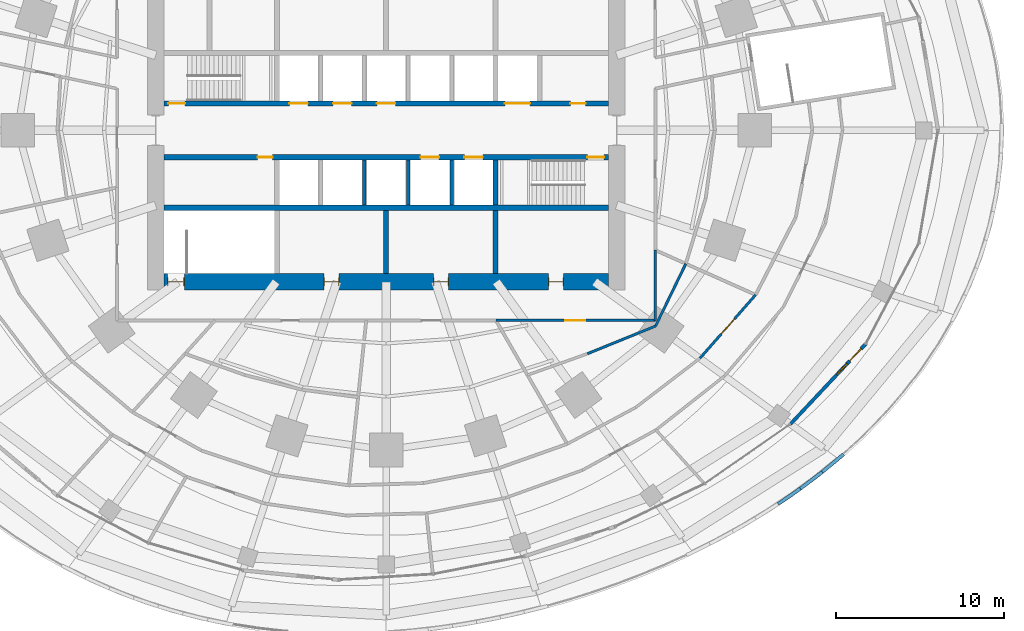
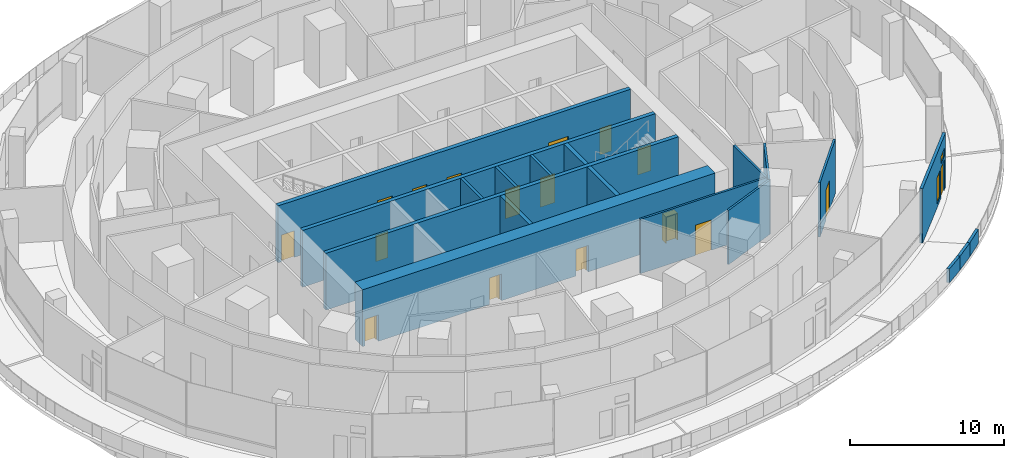
# One storey, part 18 of 26: 19 walls, 17 doors, 2 windows, 19 openings.
"""IFC4 building model written with IfcOpenShell, lengths in metres."""

from ifc_helpers import new_model, si_unit, direction, frame, frame_2d, origin, place, context, subcontext, project, spatial, rectangle, extrude, material, layer, layer_set, type_object, element, fill, save


model = new_model("IFC4")

# Units and contexts
model_context = context("Model", 3, precision=1e-05, world=origin(), true_north=direction((0.0, 1.0)))
body_context = subcontext(model_context, "Body", "Model", "MODEL_VIEW")
ifc_project = project(units=[si_unit("LENGTHUNIT", "METRE"), si_unit("AREAUNIT", "SQUARE_METRE"), si_unit("VOLUMEUNIT", "CUBIC_METRE"), si_unit("PLANEANGLEUNIT", "RADIAN"), si_unit("MASSUNIT", "GRAM", prefix="KILO")], contexts=[model_context])

# Site, building, storey
site_placement = place(None, origin())
site = spatial("IfcSite", under=ifc_project, at=site_placement, CompositionType="ELEMENT")
building_placement = place(site_placement, origin())
building = spatial("IfcBuilding", under=site, at=building_placement, Name="Marramba Exchange Tower", CompositionType="ELEMENT")
storey_placement = place(building_placement, frame((0.0, 0.0, 15.10009765625)))
storey = spatial("IfcBuildingStorey", under=building, at=storey_placement, Name="L03", CompositionType="ELEMENT", Elevation=15.10009765625)

# Walls
ifc_material_1 = material(Name="Concrete N50", Category="concrete")
ifc_layer_1 = layer(ifc_material_1, 0.199951171875)
ifc_layer_set_1 = layer_set([ifc_layer_1], Name="Core shaft wall 200")
wall_type_1 = type_object("IfcWallType", Name="Core shaft wall 200", PredefinedType="SHEAR", material=ifc_layer_set_1)
for number, where, z_axis, x_axis, name in (
    (1, (-1.300048828125, -1.75, 0.0), (0.0, 0.0, 1.0), (0.0, -1.0, 0.0), "Core wall SHS2 L03"),
    (2, (1.300048828125, -1.75, 0.0), (0.0, 0.0, 1.0), (0.0, -1.0, 0.0), "Core wall SHS3 L03"),
    (3, (3.89990234375, -1.75, 0.0), (0.0, 0.0, 1.0), (0.0, -1.0, 0.0), "Core wall SHS4 L03"),
):
    element("IfcWall", number, at=place(storey_placement, frame(where, z_axis=z_axis, x_axis=x_axis)), inside=storey, type_object=wall_type_1, Name=name, PredefinedType="SHEAR", context=body_context, shape_type="SweptSolid", body=[
        extrude(rectangle(XDim=2.699951171875, YDim=0.199951171875, at=frame_2d((1.35009765625, 0.0))), origin(), (0.0, 0.0, 1.0), 4.5),
    ])

# Wall, openings, doors
ifc_layer_2 = layer(ifc_material_1, 1.0)
ifc_layer_set_2 = layer_set([ifc_layer_2], Name="Core wall 1000")
wall_type_2 = type_object("IfcWallType", Name="Core wall 1000", PredefinedType="SHEAR", material=ifc_layer_set_2)
wall_1_placement = place(storey_placement, frame((-13.199951171875, -9.0, 0.0), z_axis=(0.0, 0.0, 1.0), x_axis=(1.0, 0.0, 0.0)))
wall_1 = element("IfcWall", 4, at=wall_1_placement, inside=storey, type_object=wall_type_2, Name="Core wall S L03", PredefinedType="SHEAR", context=body_context, shape_type="SweptSolid", body=[
    extrude(rectangle(XDim=26.39990234375, YDim=1.0, at=frame_2d((13.199951171875, 0.0))), origin(), (0.0, 0.0, 1.0), 4.5),
])
opening_1_placement = place(wall_1_placement, frame((0.199951171875, 0.0, 0.0)))
opening_1 = element("IfcOpeningElement", 5, at=opening_1_placement, cuts=wall_1, Name="Opening D2", PredefinedType="OPENING", context=body_context, shape_type="SweptSolid", body=[
    extrude(rectangle(XDim=1.0, YDim=2.10009765625, at=frame_2d((0.5, 1.050048828125))), frame((0.0, 0.510009765625, 0.0), z_axis=(0.0, -1.0, 0.0), x_axis=(1.0, 0.0, 0.0)), (0.0, 0.0, 1.0), 1.02001953125),
])
opening_2_placement = place(wall_1_placement, frame((9.5, 0.0, 0.0)))
opening_2 = element("IfcOpeningElement", 6, at=opening_2_placement, cuts=wall_1, Name="Opening D5", PredefinedType="OPENING", context=body_context, shape_type="SweptSolid", body=[
    extrude(rectangle(XDim=0.89990234375, YDim=2.10009765625, at=frame_2d((0.449951171875, 1.050048828125))), frame((0.0, 0.510009765625, 0.0), z_axis=(0.0, -1.0, 0.0), x_axis=(1.0, 0.0, 0.0)), (0.0, 0.0, 1.0), 1.02001953125),
])
opening_3_placement = place(wall_1_placement, frame((16.0, 0.0, 0.0)))
opening_3 = element("IfcOpeningElement", 7, at=opening_3_placement, cuts=wall_1, Name="Opening D5", PredefinedType="OPENING", context=body_context, shape_type="SweptSolid", body=[
    extrude(rectangle(XDim=0.89990234375, YDim=2.10009765625, at=frame_2d((0.449951171875, 1.050048828125))), frame((0.0, 0.510009765625, 0.0), z_axis=(0.0, -1.0, 0.0), x_axis=(1.0, 0.0, 0.0)), (0.0, 0.0, 1.0), 1.02001953125),
])
opening_4_placement = place(wall_1_placement, frame((22.85009765625, 0.0, 0.0)))
opening_4 = element("IfcOpeningElement", 8, at=opening_4_placement, cuts=wall_1, Name="Opening D5", PredefinedType="OPENING", context=body_context, shape_type="SweptSolid", body=[
    extrude(rectangle(XDim=0.89990234375, YDim=2.10009765625, at=frame_2d((0.449951171875, 1.050048828125))), frame((0.0, 0.510009765625, 0.0), z_axis=(0.0, -1.0, 0.0), x_axis=(1.0, 0.0, 0.0)), (0.0, 0.0, 1.0), 1.02001953125),
])
ifc_material_2 = material(Name="Steel-framed door", Category="steel")
door_type_1 = type_object("IfcDoorType", Name="Service door 900x2100", OperationType="SINGLE_SWING_LEFT", PredefinedType="DOOR", material=ifc_material_2)
door_1_placement = place(opening_2_placement, origin())
door_1 = element("IfcDoor", 9, at=door_1_placement, inside=storey, type_object=door_type_1, Name="D5 ahu L03", OperationType="SINGLE_SWING_RIGHT", OverallHeight=2.10009765625, OverallWidth=0.89990234375, PredefinedType="DOOR", context=body_context, shape_type="SweptSolid", body=[
    extrude(rectangle(XDim=0.81982421875, YDim=2.06005859375, at=frame_2d((0.449951171875, 1.030029296875))), frame((0.0, 0.02490234375, 0.0), z_axis=(0.0, -1.0, 0.0), x_axis=(1.0, 0.0, 0.0)), (0.0, 0.0, 1.0), 0.050048828125),
    extrude(rectangle(XDim=0.04, YDim=2.10009765625, at=frame_2d((0.02001953125, 1.050048828125))), frame((0.0, 0.25, 0.0), z_axis=(0.0, -1.0, 0.0), x_axis=(1.0, 0.0, 0.0)), (0.0, 0.0, 1.0), 0.5),
    extrude(rectangle(XDim=0.04, YDim=2.10009765625, at=frame_2d((0.8798828125, 1.050048828125))), frame((0.0, 0.25, 0.0), z_axis=(0.0, -1.0, 0.0), x_axis=(1.0, 0.0, 0.0)), (0.0, 0.0, 1.0), 0.5),
    extrude(rectangle(XDim=0.81982421875, YDim=0.04, at=frame_2d((0.449951171875, 2.080078125))), frame((0.0, 0.25, 0.0), z_axis=(0.0, -1.0, 0.0), x_axis=(1.0, 0.0, 0.0)), (0.0, 0.0, 1.0), 0.5),
])
fill(opening_2, door_1)
door_2_placement = place(opening_3_placement, origin())
door_2 = element("IfcDoor", 10, at=door_2_placement, inside=storey, type_object=door_type_1, Name="D5 switch L03", OperationType="SINGLE_SWING_RIGHT", OverallHeight=2.10009765625, OverallWidth=0.89990234375, PredefinedType="DOOR", context=body_context, shape_type="SweptSolid", body=[
    extrude(rectangle(XDim=0.81982421875, YDim=2.06005859375, at=frame_2d((0.449951171875, 1.030029296875))), frame((0.0, 0.02490234375, 0.0), z_axis=(0.0, -1.0, 0.0), x_axis=(1.0, 0.0, 0.0)), (0.0, 0.0, 1.0), 0.050048828125),
    extrude(rectangle(XDim=0.04, YDim=2.10009765625, at=frame_2d((0.02001953125, 1.050048828125))), frame((0.0, 0.25, 0.0), z_axis=(0.0, -1.0, 0.0), x_axis=(1.0, 0.0, 0.0)), (0.0, 0.0, 1.0), 0.5),
    extrude(rectangle(XDim=0.04, YDim=2.10009765625, at=frame_2d((0.8798828125, 1.050048828125))), frame((0.0, 0.25, 0.0), z_axis=(0.0, -1.0, 0.0), x_axis=(1.0, 0.0, 0.0)), (0.0, 0.0, 1.0), 0.5),
    extrude(rectangle(XDim=0.81982421875, YDim=0.04, at=frame_2d((0.449951171875, 2.080078125))), frame((0.0, 0.25, 0.0), z_axis=(0.0, -1.0, 0.0), x_axis=(1.0, 0.0, 0.0)), (0.0, 0.0, 1.0), 0.5),
])
fill(opening_3, door_2)
door_3_placement = place(opening_4_placement, origin())
door_3 = element("IfcDoor", 11, at=door_3_placement, inside=storey, type_object=door_type_1, Name="D5 cstore L03", OperationType="SINGLE_SWING_RIGHT", OverallHeight=2.10009765625, OverallWidth=0.89990234375, PredefinedType="DOOR", context=body_context, shape_type="SweptSolid", body=[
    extrude(rectangle(XDim=0.81982421875, YDim=2.06005859375, at=frame_2d((0.449951171875, 1.030029296875))), frame((0.0, 0.02490234375, 0.0), z_axis=(0.0, -1.0, 0.0), x_axis=(1.0, 0.0, 0.0)), (0.0, 0.0, 1.0), 0.050048828125),
    extrude(rectangle(XDim=0.04, YDim=2.10009765625, at=frame_2d((0.02001953125, 1.050048828125))), frame((0.0, 0.25, 0.0), z_axis=(0.0, -1.0, 0.0), x_axis=(1.0, 0.0, 0.0)), (0.0, 0.0, 1.0), 0.5),
    extrude(rectangle(XDim=0.04, YDim=2.10009765625, at=frame_2d((0.8798828125, 1.050048828125))), frame((0.0, 0.25, 0.0), z_axis=(0.0, -1.0, 0.0), x_axis=(1.0, 0.0, 0.0)), (0.0, 0.0, 1.0), 0.5),
    extrude(rectangle(XDim=0.81982421875, YDim=0.04, at=frame_2d((0.449951171875, 2.080078125))), frame((0.0, 0.25, 0.0), z_axis=(0.0, -1.0, 0.0), x_axis=(1.0, 0.0, 0.0)), (0.0, 0.0, 1.0), 0.5),
])
fill(opening_4, door_3)
door_type_2 = type_object("IfcDoorType", Name="Stair door 1000x2100", OperationType="SINGLE_SWING_LEFT", PredefinedType="DOOR", material=ifc_material_2)
door_4_placement = place(opening_1_placement, origin())
door_4 = element("IfcDoor", 12, at=door_4_placement, inside=storey, type_object=door_type_2, Name="D2 stair ST3 L03", OperationType="SINGLE_SWING_LEFT", OverallHeight=2.10009765625, OverallWidth=1.0, PredefinedType="DOOR", context=body_context, shape_type="SweptSolid", body=[
    extrude(rectangle(XDim=0.919921875, YDim=2.06005859375, at=frame_2d((0.5, 1.030029296875))), frame((0.0, 0.02490234375, 0.0), z_axis=(0.0, -1.0, 0.0), x_axis=(1.0, 0.0, 0.0)), (0.0, 0.0, 1.0), 0.050048828125),
    extrude(rectangle(XDim=0.04, YDim=2.10009765625, at=frame_2d((0.02001953125, 1.050048828125))), frame((0.0, 0.25, 0.0), z_axis=(0.0, -1.0, 0.0), x_axis=(1.0, 0.0, 0.0)), (0.0, 0.0, 1.0), 0.5),
    extrude(rectangle(XDim=0.04, YDim=2.10009765625, at=frame_2d((0.97998046875, 1.050048828125))), frame((0.0, 0.25, 0.0), z_axis=(0.0, -1.0, 0.0), x_axis=(1.0, 0.0, 0.0)), (0.0, 0.0, 1.0), 0.5),
    extrude(rectangle(XDim=0.919921875, YDim=0.04, at=frame_2d((0.5, 2.080078125))), frame((0.0, 0.25, 0.0), z_axis=(0.0, -1.0, 0.0), x_axis=(1.0, 0.0, 0.0)), (0.0, 0.0, 1.0), 0.5),
])
fill(opening_1, door_4)

ifc_layer_3 = layer(ifc_material_1, 0.300048828125)
ifc_layer_set_3 = layer_set([ifc_layer_3], Name="Core wall 300")
wall_type_3 = type_object("IfcWallType", Name="Core wall 300", PredefinedType="SHEAR", material=ifc_layer_set_3)
wall_2_placement = place(storey_placement, frame((-13.199951171875, 1.60009765625, 0.0), z_axis=(0.0, 0.0, 1.0), x_axis=(1.0, 0.0, 0.0)))
wall_2 = element("IfcWall", 13, at=wall_2_placement, inside=storey, type_object=wall_type_3, Name="Core wall LN L03", PredefinedType="SHEAR", context=body_context, shape_type="SweptSolid", body=[
    extrude(rectangle(XDim=26.39990234375, YDim=0.300048828125, at=frame_2d((13.199951171875, 0.0))), origin(), (0.0, 0.0, 1.0), 4.5),
])
opening_5_placement = place(wall_2_placement, frame((0.25, 0.0, 0.0)))
opening_5 = element("IfcOpeningElement", 14, at=opening_5_placement, cuts=wall_2, Name="Opening D2", PredefinedType="OPENING", context=body_context, shape_type="SweptSolid", body=[
    extrude(rectangle(XDim=1.0, YDim=2.10009765625, at=frame_2d((0.5, 1.050048828125))), frame((0.0, 0.159912109375, 0.0), z_axis=(0.0, -1.0, 0.0), x_axis=(1.0, 0.0, 0.0)), (0.0, 0.0, 1.0), 0.320068359375),
])
opening_6_placement = place(wall_2_placement, frame((20.25, 0.0, 0.0)))
opening_6 = element("IfcOpeningElement", 15, at=opening_6_placement, cuts=wall_2, Name="Opening LD3", PredefinedType="OPENING", context=body_context, shape_type="SweptSolid", body=[
    extrude(rectangle(XDim=1.5, YDim=2.39990234375, at=frame_2d((0.75, 1.199951171875))), frame((0.0, 0.159912109375, 0.0), z_axis=(0.0, -1.0, 0.0), x_axis=(1.0, 0.0, 0.0)), (0.0, 0.0, 1.0), 0.320068359375),
])
opening_7_placement = place(wall_2_placement, frame((7.449951171875, 0.0, 0.0)))
opening_7 = element("IfcOpeningElement", 16, at=opening_7_placement, cuts=wall_2, Name="Opening LD1", PredefinedType="OPENING", context=body_context, shape_type="SweptSolid", body=[
    extrude(rectangle(XDim=1.10009765625, YDim=2.300048828125, at=frame_2d((0.550048828125, 1.14990234375))), frame((0.0, 0.159912109375, 0.0), z_axis=(0.0, -1.0, 0.0), x_axis=(1.0, 0.0, 0.0)), (0.0, 0.0, 1.0), 0.320068359375),
])
opening_8_placement = place(wall_2_placement, frame((10.050048828125, 0.0, 0.0)))
opening_8 = element("IfcOpeningElement", 17, at=opening_8_placement, cuts=wall_2, Name="Opening LD1", PredefinedType="OPENING", context=body_context, shape_type="SweptSolid", body=[
    extrude(rectangle(XDim=1.10009765625, YDim=2.300048828125, at=frame_2d((0.550048828125, 1.14990234375))), frame((0.0, 0.159912109375, 0.0), z_axis=(0.0, -1.0, 0.0), x_axis=(1.0, 0.0, 0.0)), (0.0, 0.0, 1.0), 0.320068359375),
])
opening_9_placement = place(wall_2_placement, frame((12.64990234375, 0.0, 0.0)))
opening_9 = element("IfcOpeningElement", 18, at=opening_9_placement, cuts=wall_2, Name="Opening LD1", PredefinedType="OPENING", context=body_context, shape_type="SweptSolid", body=[
    extrude(rectangle(XDim=1.10009765625, YDim=2.300048828125, at=frame_2d((0.550048828125, 1.14990234375))), frame((0.0, 0.159912109375, 0.0), z_axis=(0.0, -1.0, 0.0), x_axis=(1.0, 0.0, 0.0)), (0.0, 0.0, 1.0), 0.320068359375),
])
opening_10_placement = place(wall_2_placement, frame((24.14990234375, 0.0, 0.0)))
opening_10 = element("IfcOpeningElement", 19, at=opening_10_placement, cuts=wall_2, Name="Opening D5", PredefinedType="OPENING", context=body_context, shape_type="SweptSolid", body=[
    extrude(rectangle(XDim=0.89990234375, YDim=2.10009765625, at=frame_2d((0.449951171875, 1.050048828125))), frame((0.0, 0.159912109375, 0.0), z_axis=(0.0, -1.0, 0.0), x_axis=(1.0, 0.0, 0.0)), (0.0, 0.0, 1.0), 0.320068359375),
])
door_type_3 = type_object("IfcDoorType", Name="Goods lift landing door 1500x2400", OperationType="SLIDING_TO_LEFT", PredefinedType="DOOR", material=ifc_material_2)
door_5_placement = place(opening_6_placement, origin())
door_5 = element("IfcDoor", 20, at=door_5_placement, inside=storey, type_object=door_type_3, Name="GL1 landing door L03", OperationType="SLIDING_TO_LEFT", OverallHeight=2.39990234375, OverallWidth=1.5, PredefinedType="DOOR", context=body_context, shape_type="SweptSolid", body=[
    extrude(rectangle(XDim=1.5, YDim=2.39990234375, at=frame_2d((0.75, 1.199951171875))), frame((0.0, 0.02490234375, 0.0), z_axis=(0.0, -1.0, 0.0), x_axis=(1.0, 0.0, 0.0)), (0.0, 0.0, 1.0), 0.050048828125),
])
fill(opening_6, door_5)
door_type_4 = type_object("IfcDoorType", Name="Lift landing door 1100x2300", OperationType="SLIDING_TO_LEFT", PredefinedType="DOOR", material=ifc_material_2)
door_6_placement = place(opening_7_placement, origin())
door_6 = element("IfcDoor", 21, at=door_6_placement, inside=storey, type_object=door_type_4, Name="LA1 landing door L03", OperationType="SLIDING_TO_LEFT", OverallHeight=2.300048828125, OverallWidth=1.10009765625, PredefinedType="DOOR", context=body_context, shape_type="SweptSolid", body=[
    extrude(rectangle(XDim=1.10009765625, YDim=2.300048828125, at=frame_2d((0.550048828125, 1.14990234375))), frame((0.0, 0.02490234375, 0.0), z_axis=(0.0, -1.0, 0.0), x_axis=(1.0, 0.0, 0.0)), (0.0, 0.0, 1.0), 0.050048828125),
])
fill(opening_7, door_6)
door_7_placement = place(opening_8_placement, origin())
door_7 = element("IfcDoor", 22, at=door_7_placement, inside=storey, type_object=door_type_4, Name="LA2 landing door L03", OperationType="SLIDING_TO_LEFT", OverallHeight=2.300048828125, OverallWidth=1.10009765625, PredefinedType="DOOR", context=body_context, shape_type="SweptSolid", body=[
    extrude(rectangle(XDim=1.10009765625, YDim=2.300048828125, at=frame_2d((0.550048828125, 1.14990234375))), frame((0.0, 0.02490234375, 0.0), z_axis=(0.0, -1.0, 0.0), x_axis=(1.0, 0.0, 0.0)), (0.0, 0.0, 1.0), 0.050048828125),
])
fill(opening_8, door_7)
door_8_placement = place(opening_9_placement, origin())
door_8 = element("IfcDoor", 23, at=door_8_placement, inside=storey, type_object=door_type_4, Name="LA3 landing door L03", OperationType="SLIDING_TO_RIGHT", OverallHeight=2.300048828125, OverallWidth=1.10009765625, PredefinedType="DOOR", context=body_context, shape_type="SweptSolid", body=[
    extrude(rectangle(XDim=1.10009765625, YDim=2.300048828125, at=frame_2d((0.550048828125, 1.14990234375))), frame((0.0, 0.02490234375, 0.0), z_axis=(0.0, -1.0, 0.0), x_axis=(1.0, 0.0, 0.0)), (0.0, 0.0, 1.0), 0.050048828125),
])
fill(opening_9, door_8)
door_9_placement = place(opening_10_placement, origin())
door_9 = element("IfcDoor", 24, at=door_9_placement, inside=storey, type_object=door_type_1, Name="D5 riser L03", OperationType="SINGLE_SWING_RIGHT", OverallHeight=2.10009765625, OverallWidth=0.89990234375, PredefinedType="DOOR", context=body_context, shape_type="SweptSolid", body=[
    extrude(rectangle(XDim=0.89990234375, YDim=2.10009765625, at=frame_2d((0.449951171875, 1.050048828125))), frame((0.0, 0.02490234375, 0.0), z_axis=(0.0, -1.0, 0.0), x_axis=(1.0, 0.0, 0.0)), (0.0, 0.0, 1.0), 0.050048828125),
])
fill(opening_10, door_9)
door_10_placement = place(opening_5_placement, origin())
door_10 = element("IfcDoor", 25, at=door_10_placement, inside=storey, type_object=door_type_2, Name="D2 stair ST1 L03", OperationType="SINGLE_SWING_LEFT", OverallHeight=2.10009765625, OverallWidth=1.0, PredefinedType="DOOR", context=body_context, shape_type="SweptSolid", body=[
    extrude(rectangle(XDim=1.0, YDim=2.10009765625, at=frame_2d((0.5, 1.050048828125))), frame((0.0, 0.02490234375, 0.0), z_axis=(0.0, -1.0, 0.0), x_axis=(1.0, 0.0, 0.0)), (0.0, 0.0, 1.0), 0.050048828125),
])
fill(opening_5, door_10)

wall_3_placement = place(storey_placement, frame((-13.199951171875, -1.60009765625, 0.0), z_axis=(0.0, 0.0, 1.0), x_axis=(1.0, 0.0, 0.0)))
wall_3 = element("IfcWall", 26, at=wall_3_placement, inside=storey, type_object=wall_type_3, Name="Core wall LS L03", PredefinedType="SHEAR", context=body_context, shape_type="SweptSolid", body=[
    extrude(rectangle(XDim=26.39990234375, YDim=0.300048828125, at=frame_2d((13.199951171875, 0.0))), origin(), (0.0, 0.0, 1.0), 4.5),
])
opening_11_placement = place(wall_3_placement, frame((25.14990234375, 0.0, 0.0)))
opening_11 = element("IfcOpeningElement", 27, at=opening_11_placement, cuts=wall_3, Name="Opening D2", PredefinedType="OPENING", context=body_context, shape_type="SweptSolid", body=[
    extrude(rectangle(XDim=1.0, YDim=2.10009765625, at=frame_2d((0.5, 1.050048828125))), frame((0.0, 0.159912109375, 0.0), z_axis=(0.0, -1.0, 0.0), x_axis=(1.0, 0.0, 0.0)), (0.0, 0.0, 1.0), 0.320068359375),
])
opening_12_placement = place(wall_3_placement, frame((15.25, 0.0, 0.0)))
opening_12 = element("IfcOpeningElement", 28, at=opening_12_placement, cuts=wall_3, Name="Opening LD2", PredefinedType="OPENING", context=body_context, shape_type="SweptSolid", body=[
    extrude(rectangle(XDim=1.10009765625, YDim=2.300048828125, at=frame_2d((0.550048828125, 1.14990234375))), frame((0.0, 0.159912109375, 0.0), z_axis=(0.0, -1.0, 0.0), x_axis=(1.0, 0.0, 0.0)), (0.0, 0.0, 1.0), 0.320068359375),
])
opening_13_placement = place(wall_3_placement, frame((17.85009765625, 0.0, 0.0)))
opening_13 = element("IfcOpeningElement", 29, at=opening_13_placement, cuts=wall_3, Name="Opening LD2", PredefinedType="OPENING", context=body_context, shape_type="SweptSolid", body=[
    extrude(rectangle(XDim=1.10009765625, YDim=2.300048828125, at=frame_2d((0.550048828125, 1.14990234375))), frame((0.0, 0.159912109375, 0.0), z_axis=(0.0, -1.0, 0.0), x_axis=(1.0, 0.0, 0.0)), (0.0, 0.0, 1.0), 0.320068359375),
])
opening_14_placement = place(wall_3_placement, frame((5.550048828125, 0.0, 0.0)))
opening_14 = element("IfcOpeningElement", 30, at=opening_14_placement, cuts=wall_3, Name="Opening D5", PredefinedType="OPENING", context=body_context, shape_type="SweptSolid", body=[
    extrude(rectangle(XDim=0.89990234375, YDim=2.10009765625, at=frame_2d((0.449951171875, 1.050048828125))), frame((0.0, 0.159912109375, 0.0), z_axis=(0.0, -1.0, 0.0), x_axis=(1.0, 0.0, 0.0)), (0.0, 0.0, 1.0), 0.320068359375),
])
door_type_5 = type_object("IfcDoorType", Name="Emergency lift landing door 1100x2300", OperationType="SLIDING_TO_LEFT", PredefinedType="DOOR", material=ifc_material_2)
door_11_placement = place(opening_12_placement, frame((1.10009765625, 0.0, 0.0), z_axis=(0.0, 0.0, 1.0), x_axis=(-1.0, 0.0, 0.0)))
door_11 = element("IfcDoor", 31, at=door_11_placement, inside=storey, type_object=door_type_5, Name="FL1 landing door L03", OperationType="SLIDING_TO_RIGHT", OverallHeight=2.300048828125, OverallWidth=1.10009765625, PredefinedType="DOOR", context=body_context, shape_type="SweptSolid", body=[
    extrude(rectangle(XDim=1.10009765625, YDim=2.300048828125, at=frame_2d((0.550048828125, 1.14990234375))), frame((0.0, 0.025146484375, 0.0), z_axis=(0.0, -1.0, 0.0), x_axis=(1.0, 0.0, 0.0)), (0.0, 0.0, 1.0), 0.050048828125),
])
fill(opening_12, door_11)
door_12_placement = place(opening_13_placement, frame((1.10009765625, 0.0, 0.0), z_axis=(0.0, 0.0, 1.0), x_axis=(-1.0, 0.0, 0.0)))
door_12 = element("IfcDoor", 32, at=door_12_placement, inside=storey, type_object=door_type_5, Name="FL2 landing door L03", OperationType="SLIDING_TO_LEFT", OverallHeight=2.300048828125, OverallWidth=1.10009765625, PredefinedType="DOOR", context=body_context, shape_type="SweptSolid", body=[
    extrude(rectangle(XDim=1.10009765625, YDim=2.300048828125, at=frame_2d((0.550048828125, 1.14990234375))), frame((0.0, 0.025146484375, 0.0), z_axis=(0.0, -1.0, 0.0), x_axis=(1.0, 0.0, 0.0)), (0.0, 0.0, 1.0), 0.050048828125),
])
fill(opening_13, door_12)
door_13_placement = place(opening_14_placement, frame((0.89990234375, 0.0, 0.0), z_axis=(0.0, 0.0, 1.0), x_axis=(-1.0, 0.0, 0.0)))
door_13 = element("IfcDoor", 33, at=door_13_placement, inside=storey, type_object=door_type_1, Name="D5 electrical riser L03", OperationType="SINGLE_SWING_LEFT", OverallHeight=2.10009765625, OverallWidth=0.89990234375, PredefinedType="DOOR", context=body_context, shape_type="SweptSolid", body=[
    extrude(rectangle(XDim=0.89990234375, YDim=2.10009765625, at=frame_2d((0.449951171875, 1.050048828125))), frame((0.0, 0.025146484375, 0.0), z_axis=(0.0, -1.0, 0.0), x_axis=(1.0, 0.0, 0.0)), (0.0, 0.0, 1.0), 0.050048828125),
])
fill(opening_14, door_13)
door_14_placement = place(opening_11_placement, frame((1.0, 0.0, 0.0), z_axis=(0.0, 0.0, 1.0), x_axis=(-1.0, 0.0, 0.0)))
door_14 = element("IfcDoor", 34, at=door_14_placement, inside=storey, type_object=door_type_2, Name="D2 stair ST2 L03", OperationType="SINGLE_SWING_LEFT", OverallHeight=2.10009765625, OverallWidth=1.0, PredefinedType="DOOR", context=body_context, shape_type="SweptSolid", body=[
    extrude(rectangle(XDim=1.0, YDim=2.10009765625, at=frame_2d((0.5, 1.050048828125))), frame((0.0, 0.025146484375, 0.0), z_axis=(0.0, -1.0, 0.0), x_axis=(1.0, 0.0, 0.0)), (0.0, 0.0, 1.0), 0.050048828125),
])
fill(opening_11, door_14)

# Walls
wall_4_placement = place(storey_placement, frame((-13.199951171875, -4.60009765625, 0.0), z_axis=(0.0, 0.0, 1.0), x_axis=(1.0, 0.0, 0.0)))
element("IfcWall", 35, at=wall_4_placement, inside=storey, type_object=wall_type_3, Name="Core wall BS L03", PredefinedType="SHEAR", context=body_context, shape_type="SweptSolid", body=[
    extrude(rectangle(XDim=26.39990234375, YDim=0.300048828125, at=frame_2d((13.199951171875, 0.0))), origin(), (0.0, 0.0, 1.0), 4.5),
])
wall_5_placement = place(storey_placement, frame((6.5, -1.75, 0.0), z_axis=(0.0, 0.0, 1.0), x_axis=(0.0, -1.0, 0.0)))
element("IfcWall", 36, at=wall_5_placement, inside=storey, type_object=wall_type_3, Name="Core wall X1Sa L03", PredefinedType="SHEAR", context=body_context, shape_type="SweptSolid", body=[
    extrude(rectangle(XDim=2.699951171875, YDim=0.300048828125, at=frame_2d((1.35009765625, 0.0))), origin(), (0.0, 0.0, 1.0), 4.5),
])
for number, where, z_axis, x_axis, name in (
    (37, (6.5, -4.75, 0.0), (0.0, 0.0, 1.0), (0.0, -1.0, 0.0), "Core wall X1Sb L03"),
    (38, (0.0, -4.75, 0.0), (0.0, 0.0, 1.0), (0.0, -1.0, 0.0), "Core wall MS L03"),
):
    element("IfcWall", number, at=place(storey_placement, frame(where, z_axis=z_axis, x_axis=x_axis)), inside=storey, type_object=wall_type_3, Name=name, PredefinedType="SHEAR", context=body_context, shape_type="SweptSolid", body=[
        extrude(rectangle(XDim=3.75, YDim=0.300048828125, at=frame_2d((1.875, 0.0))), origin(), (0.0, 0.0, 1.0), 4.5),
    ])

# Wall, openings, door, windows
ifc_material_3 = material(Name="Aluminium-framed bronze cladding on steel studs", Category="steel")
ifc_layer_4 = layer(ifc_material_3, 0.199951171875)
ifc_layer_set_4 = layer_set([ifc_layer_4], Name="Door screen wall 200")
wall_type_4 = type_object("IfcWallType", Name="Door screen wall 200", PredefinedType="SOLIDWALL", material=ifc_layer_set_4)
wall_6_placement = place(storey_placement, frame((24.030029296875, -17.458740234375, 0.0), z_axis=(0.0, 0.0, 1.0), x_axis=(0.684153510108, 0.72933803864, 0.0)))
wall_6 = element("IfcWall", 39, at=wall_6_placement, inside=storey, type_object=wall_type_4, Name="Door screen L03 F28", PredefinedType="SOLIDWALL", context=body_context, shape_type="SweptSolid", body=[
    extrude(rectangle(XDim=6.537841796875, YDim=0.199951171875, at=frame_2d((3.26904296875, 0.0))), origin(), (0.0, 0.0, 1.0), 4.2998046875),
])
opening_15_placement = place(wall_6_placement, frame((5.137939453125, 0.0, 0.0)))
opening_15 = element("IfcOpeningElement", 40, at=opening_15_placement, cuts=wall_6, Name="Opening D6", PredefinedType="OPENING", context=body_context, shape_type="SweptSolid", body=[
    extrude(rectangle(XDim=1.0, YDim=2.39990234375, at=frame_2d((0.5, 1.199951171875))), frame((0.0, 0.10986328125, 0.0), z_axis=(0.0, -1.0, 0.0), x_axis=(1.0, 0.0, 0.0)), (0.0, 0.0, 1.0), 0.219970703125),
])
opening_16_placement = place(wall_6_placement, frame((4.0380859375, 0.0, 0.300048828125)))
opening_16 = element("IfcOpeningElement", 41, at=opening_16_placement, cuts=wall_6, Name="Opening W4", PredefinedType="OPENING", context=body_context, shape_type="SweptSolid", body=[
    extrude(rectangle(XDim=0.89990234375, YDim=2.10009765625, at=frame_2d((0.449951171875, 1.050048828125))), frame((0.0, 0.10986328125, 0.0), z_axis=(0.0, -1.0, 0.0), x_axis=(1.0, 0.0, 0.0)), (0.0, 0.0, 1.0), 0.219970703125),
])
opening_17_placement = place(wall_6_placement, frame((5.137939453125, 0.0, 2.699951171875)))
opening_17 = element("IfcOpeningElement", 42, at=opening_17_placement, cuts=wall_6, Name="Opening W5", PredefinedType="OPENING", context=body_context, shape_type="SweptSolid", body=[
    extrude(rectangle(XDim=1.0, YDim=0.60009765625, at=frame_2d((0.5, 0.300048828125))), frame((0.0, 0.10986328125, 0.0), z_axis=(0.0, -1.0, 0.0), x_axis=(1.0, 0.0, 0.0)), (0.0, 0.0, 1.0), 0.219970703125),
])
ifc_material_4 = material(Name="Aluminium-framed glazed door, bronze", Category="aluminium")
door_type_6 = type_object("IfcDoorType", Name="Terrace door 1000x2400", OperationType="SINGLE_SWING_LEFT", PredefinedType="DOOR", material=ifc_material_4)
door_15_placement = place(opening_15_placement, frame((1.0, 0.0, 0.0), z_axis=(0.0, 0.0, 1.0), x_axis=(-1.0, 0.0, 0.0)))
door_15 = element("IfcDoor", 43, at=door_15_placement, inside=storey, type_object=door_type_6, Name="D6 L03", OperationType="SINGLE_SWING_RIGHT", OverallHeight=2.39990234375, OverallWidth=1.0, PredefinedType="DOOR", context=body_context, shape_type="SweptSolid", body=[
    extrude(rectangle(XDim=1.0, YDim=2.39990234375, at=frame_2d((0.5, 1.199951171875))), frame((0.0, 0.025146484375, 0.0), z_axis=(0.0, -1.0, 0.0), x_axis=(1.0, 0.0, 0.0)), (0.0, 0.0, 1.0), 0.050048828125),
])
fill(opening_15, door_15)
ifc_material_5 = material(Name="Aluminium-framed fixed light, bronze, double glazed", Category="aluminium")
window_type_1 = type_object("IfcWindowType", Name="Terrace sidelight 900x2100", PartitioningType="SINGLE_PANEL", PredefinedType="WINDOW", material=ifc_material_5)
window_1_placement = place(opening_16_placement, origin())
window_1 = element("IfcWindow", 44, at=window_1_placement, inside=storey, type_object=window_type_1, Name="W4 L03 F28 left", OverallHeight=2.10009765625, OverallWidth=0.89990234375, PartitioningType="SINGLE_PANEL", PredefinedType="WINDOW", context=body_context, shape_type="SweptSolid", body=[
    extrude(rectangle(XDim=0.89990234375, YDim=2.10009765625, at=frame_2d((0.449951171875, 1.050048828125))), frame((0.0, 0.030029296875, 0.0), z_axis=(0.0, -1.0, 0.0), x_axis=(1.0, 0.0, 0.0)), (0.0, 0.0, 1.0), 0.06005859375),
])
fill(opening_16, window_1)
window_type_2 = type_object("IfcWindowType", Name="Terrace transom light 1000x600", PartitioningType="SINGLE_PANEL", PredefinedType="WINDOW", material=ifc_material_5)
window_2_placement = place(opening_17_placement, origin())
window_2 = element("IfcWindow", 45, at=window_2_placement, inside=storey, type_object=window_type_2, Name="W5 L03 F28 over the door", OverallHeight=0.60009765625, OverallWidth=1.0, PartitioningType="SINGLE_PANEL", PredefinedType="WINDOW", context=body_context, shape_type="SweptSolid", body=[
    extrude(rectangle(XDim=1.0, YDim=0.60009765625, at=frame_2d((0.5, 0.300048828125))), frame((0.0, 0.030029296875, 0.0), z_axis=(0.0, -1.0, 0.0), x_axis=(1.0, 0.0, 0.0)), (0.0, 0.0, 1.0), 0.06005859375),
])
fill(opening_17, window_2)

# Walls
ifc_material_6 = material(Name="Concrete N40", Category="concrete")
ifc_layer_5 = layer(ifc_material_6, 0.199951171875)
ifc_layer_set_5 = layer_set([ifc_layer_5], Name="Roof parapet 200")
wall_type_5 = type_object("IfcWallType", Name="Roof parapet 200", PredefinedType="PARAPET", material=ifc_layer_set_5)
wall_7_placement = place(storey_placement, frame((23.29296875, -22.21044921875, 0.0), z_axis=(0.0, 0.0, 1.0), x_axis=(0.822235888046, 0.569146856627, 0.0)))
element("IfcWall", 46, at=wall_7_placement, inside=storey, type_object=wall_type_5, Name="Parapet L03 bay 18", PredefinedType="PARAPET", context=body_context, shape_type="SweptSolid", body=[
    extrude(rectangle(XDim=1.609130859375, YDim=0.199951171875, at=frame_2d((0.8046875, 0.0))), origin(), (0.0, 0.0, 1.0), 1.099853515625),
])
wall_8_placement = place(storey_placement, frame((24.615966796875, -21.294677734375, 0.0), z_axis=(0.0, 0.0, 1.0), x_axis=(0.796788281697, 0.60425858219, 0.0)))
element("IfcWall", 47, at=wall_8_placement, inside=storey, type_object=wall_type_5, Name="Parapet L03 bay 18", PredefinedType="PARAPET", context=body_context, shape_type="SweptSolid", body=[
    extrude(rectangle(XDim=1.62939453125, YDim=0.199951171875, at=frame_2d((0.814697265625, 0.0))), origin(), (0.0, 0.0, 1.0), 1.099853515625),
])
wall_9_placement = place(storey_placement, frame((25.914306640625, -20.31005859375, 0.0), z_axis=(0.0, 0.0, 1.0), x_axis=(0.767966368268, 0.640490169487, 0.0)))
element("IfcWall", 48, at=wall_9_placement, inside=storey, type_object=wall_type_5, Name="Parapet L03 bay 18", PredefinedType="PARAPET", context=body_context, shape_type="SweptSolid", body=[
    extrude(rectangle(XDim=1.64892578125, YDim=0.199951171875, at=frame_2d((0.824462890625, 0.0))), origin(), (0.0, 0.0, 1.0), 1.099853515625),
])

# Wall, opening, door
ifc_material_7 = material(Name="Fire-rated plasterboard on steel studs, acoustic insulation", Category="steel")
ifc_layer_6 = layer(ifc_material_7, 0.14990234375)
ifc_layer_set_6 = layer_set([ifc_layer_6], Name="Tenancy wall 150")
wall_type_6 = type_object("IfcWallType", Name="Tenancy wall 150", PredefinedType="PARTITIONING", material=ifc_layer_set_6)
wall_10_placement = place(storey_placement, frame((6.524169921875, -11.300048828125, 0.0), z_axis=(0.0, 0.0, 1.0), x_axis=(1.0, 0.0, 0.0)))
wall_10 = element("IfcWall", 49, at=wall_10_placement, inside=storey, type_object=wall_type_6, Name="Tenancy wall L03 40", PredefinedType="PARTITIONING", context=body_context, shape_type="SweptSolid", body=[
    extrude(rectangle(XDim=9.475830078125, YDim=0.14990234375, at=frame_2d((4.73779296875, 0.0))), origin(), (0.0, 0.0, 1.0), 4.2998046875),
])
opening_18_placement = place(wall_10_placement, frame((4.113037109375, 0.0, 0.0)))
opening_18 = element("IfcOpeningElement", 50, at=opening_18_placement, cuts=wall_10, Name="Opening D13", PredefinedType="OPENING", context=body_context, shape_type="SweptSolid", body=[
    extrude(rectangle(XDim=1.199951171875, YDim=2.39990234375, at=frame_2d((0.60009765625, 1.199951171875))), frame((0.0, 0.0849609375, 0.0), z_axis=(0.0, -1.0, 0.0), x_axis=(1.0, 0.0, 0.0)), (0.0, 0.0, 1.0), 0.169921875),
])
door_type_7 = type_object("IfcDoorType", Name="Tenancy entry door 1200x2400", OperationType="SINGLE_SWING_LEFT", PredefinedType="DOOR", material=ifc_material_2)
door_16_placement = place(opening_18_placement, frame((1.199951171875, 0.0, 0.0), z_axis=(0.0, 0.0, 1.0), x_axis=(-1.0, 0.0, 0.0)))
door_16 = element("IfcDoor", 51, at=door_16_placement, inside=storey, type_object=door_type_7, Name="D13 Locker Room L03", OperationType="SINGLE_SWING_RIGHT", OverallHeight=2.39990234375, OverallWidth=1.199951171875, PredefinedType="DOOR", context=body_context, shape_type="SweptSolid", body=[
    extrude(rectangle(XDim=1.199951171875, YDim=2.39990234375, at=frame_2d((0.599853515625, 1.199951171875))), frame((0.0, 0.025146484375, 0.0), z_axis=(0.0, -1.0, 0.0), x_axis=(1.0, 0.0, 0.0)), (0.0, 0.0, 1.0), 0.050048828125),
])
fill(opening_18, door_16)

# Walls
wall_11_placement = place(storey_placement, frame((16.010498046875, -11.63232421875, 0.0), z_axis=(0.0, 0.0, 1.0), x_axis=(-0.926462321179, -0.376387522955, 0.0)))
element("IfcWall", 52, at=wall_11_placement, inside=storey, type_object=wall_type_6, Name="Tenancy wall L03 43", PredefinedType="PARTITIONING", context=body_context, shape_type="SweptSolid", body=[
    extrude(rectangle(XDim=4.375732421875, YDim=0.14990234375, at=frame_2d((2.18798828125, 0.0))), origin(), (0.0, 0.0, 1.0), 4.2998046875),
])
wall_12_placement = place(storey_placement, frame((17.80810546875, -7.9287109375, 0.0), z_axis=(0.0, 0.0, 1.0), x_axis=(-0.436650319891, -0.899631312338, 0.0)))
element("IfcWall", 53, at=wall_12_placement, inside=storey, type_object=wall_type_6, Name="Tenancy wall L03 44", PredefinedType="PARTITIONING", context=body_context, shape_type="SweptSolid", body=[
    extrude(rectangle(XDim=4.11669921875, YDim=0.14990234375, at=frame_2d((2.058349609375, 0.0))), origin(), (0.0, 0.0, 1.0), 4.2998046875),
])
wall_13_placement = place(storey_placement, frame((16.0, -11.300048828125, 0.0), z_axis=(0.0, 0.0, 1.0), x_axis=(0.0, 1.0, 0.0)))
element("IfcWall", 54, at=wall_13_placement, inside=storey, type_object=wall_type_6, Name="Tenancy wall L03 45", PredefinedType="PARTITIONING", context=body_context, shape_type="SweptSolid", body=[
    extrude(rectangle(XDim=4.17626953125, YDim=0.14990234375, at=frame_2d((2.088134765625, 0.0))), origin(), (0.0, 0.0, 1.0), 4.2998046875),
])

# Wall, opening, door
wall_14_placement = place(storey_placement, frame((21.957763671875, -9.776123046875, 0.0), z_axis=(0.0, 0.0, 1.0), x_axis=(-0.659640366347, -0.751581390859, 0.0)))
wall_14 = element("IfcWall", 55, at=wall_14_placement, inside=storey, type_object=wall_type_6, Name="Tenancy wall L03 47", PredefinedType="PARTITIONING", context=body_context, shape_type="SweptSolid", body=[
    extrude(rectangle(XDim=5.018798828125, YDim=0.14990234375, at=frame_2d((2.50927734375, 0.0))), origin(), (0.0, 0.0, 1.0), 4.2998046875),
])
opening_19_placement = place(wall_14_placement, frame((1.908935546875, 0.0, 0.0)))
opening_19 = element("IfcOpeningElement", 56, at=opening_19_placement, cuts=wall_14, Name="Opening D13", PredefinedType="OPENING", context=body_context, shape_type="SweptSolid", body=[
    extrude(rectangle(XDim=1.199951171875, YDim=2.39990234375, at=frame_2d((0.60009765625, 1.199951171875))), frame((0.0, 0.0849609375, 0.0), z_axis=(0.0, -1.0, 0.0), x_axis=(1.0, 0.0, 0.0)), (0.0, 0.0, 1.0), 0.169921875),
])
door_17_placement = place(opening_19_placement, origin())
door_17 = element("IfcDoor", 57, at=door_17_placement, inside=storey, type_object=door_type_7, Name="D13 Staff Change Room L03", OperationType="SINGLE_SWING_LEFT", OverallHeight=2.39990234375, OverallWidth=1.199951171875, PredefinedType="DOOR", context=body_context, shape_type="SweptSolid", body=[
    extrude(rectangle(XDim=1.199951171875, YDim=2.39990234375, at=frame_2d((0.60009765625, 1.199951171875))), frame((0.0, 0.02490234375, 0.0), z_axis=(0.0, -1.0, 0.0), x_axis=(1.0, 0.0, 0.0)), (0.0, 0.0, 1.0), 0.050048828125),
])
fill(opening_19, door_17)

save(model, "model.ifc")
